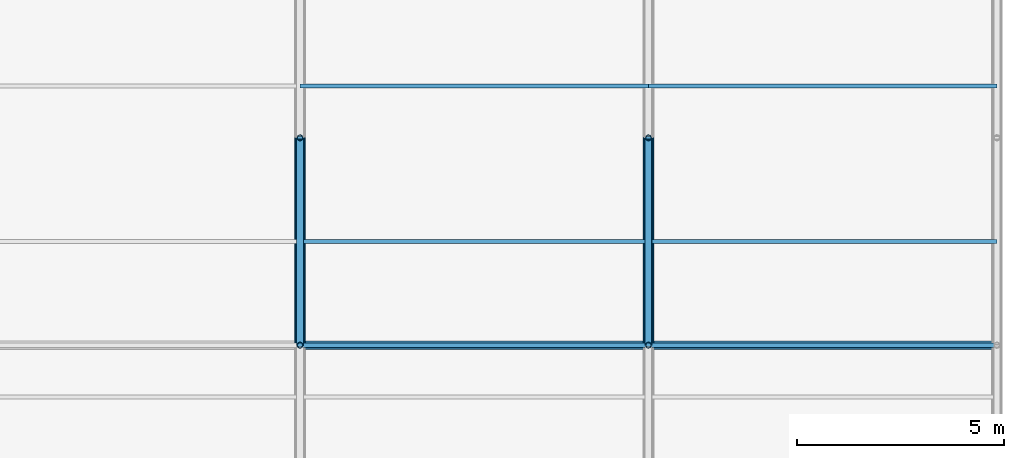
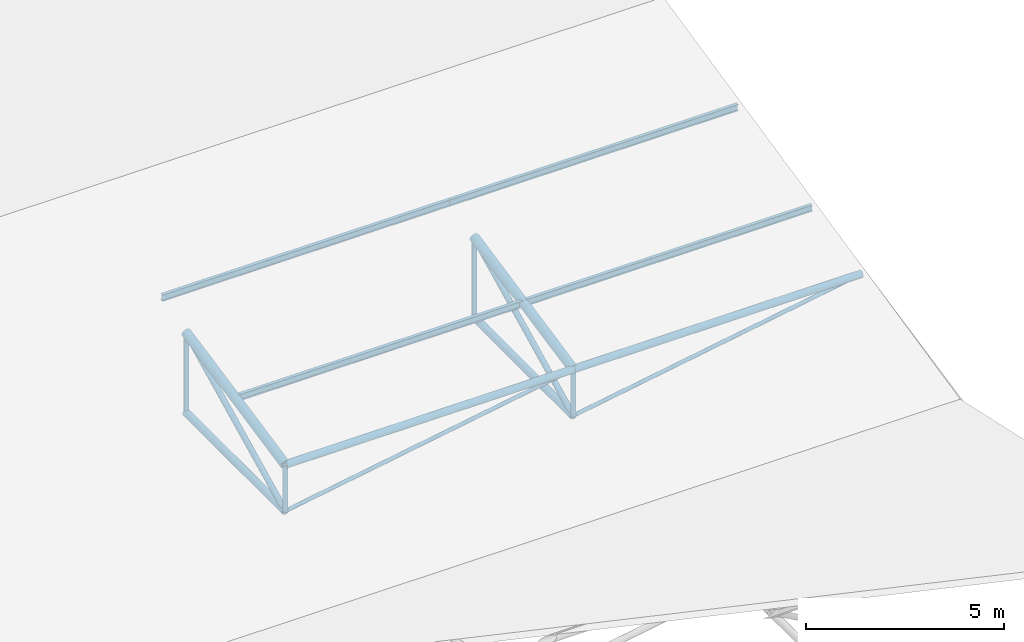
# One storey, part 104 of 194: 14 members, 4 beams.
"""IFC4 building model written with IfcOpenShell, lengths in metres."""

from ifc_helpers import new_model, si_unit, direction, frame, origin, origin_2d, place, context, subcontext, project, spatial, hollow_circle, i_section, extrude, material, material_profile, profile_set, type_object, element, save


model = new_model("IFC4")

# Units and contexts
model_context = context("Model", 3, precision=1e-05, world=origin(), true_north=direction((0.0, 1.0)))
body_context = subcontext(model_context, "Body", "Model", "MODEL_VIEW")
ifc_project = project(units=[si_unit("LENGTHUNIT", "METRE"), si_unit("AREAUNIT", "SQUARE_METRE"), si_unit("VOLUMEUNIT", "CUBIC_METRE"), si_unit("PLANEANGLEUNIT", "RADIAN"), si_unit("MASSUNIT", "GRAM", prefix="KILO")], contexts=[model_context])

# Site, building, storey
site_placement = place(None, origin())
site = spatial("IfcSite", under=ifc_project, at=site_placement, CompositionType="ELEMENT")
building_placement = place(site_placement, origin())
building = spatial("IfcBuilding", under=site, at=building_placement, Name="Kazenagashi Tramway Depot", CompositionType="ELEMENT")
storey_placement = place(building_placement, frame((0.0, 0.0, 23.7)))
storey = spatial("IfcBuildingStorey", under=building, at=storey_placement, Name="ROOF", CompositionType="ELEMENT", Elevation=23.7)

# Beams
ifc_material_1 = material(Name="Steel SN400B", Category="steel")
ifc_material_profile_1 = material_profile(ifc_material_1, i_section(OverallWidth=0.1, OverallDepth=0.2, WebThickness=0.0055, FlangeThickness=0.008, at=origin_2d()), Name="H-200x100x5.5x8")
ifc_profile_set_1 = profile_set([ifc_material_profile_1], Name="Steel SN400B")
beam_type = type_object("IfcBeamType", Name="PR-01", PredefinedType="USERDEFINED", material=ifc_profile_set_1)
for number, where, z_axis, x_axis, name in (
    (1, (179.2, 107.5, -12.13), (1.0, 0.0, 0.0), (0.0, 1.0, 0.0), "Beam PR-01 BM-2160"),
    (2, (187.6, 107.5, -12.13), (1.0, 0.0, 0.0), (0.0, 1.0, 0.0), "Beam PR-01 BM-2161"),
    (3, (179.2, 111.25, -11.305), (1.0, 0.0, 0.0), (0.0, 1.0, 0.0), "Beam PR-01 BM-2178"),
    (4, (187.6, 111.25, -11.305), (1.0, 0.0, 0.0), (0.0, 1.0, 0.0), "Beam PR-01 BM-2179"),
):
    element("IfcBeam", number, at=place(storey_placement, frame(where, z_axis=z_axis, x_axis=x_axis)), inside=storey, type_object=beam_type, Name=name, ObjectType="PURLIN", PredefinedType="USERDEFINED", context=body_context, shape_type="SweptSolid", body=[
        extrude(i_section(OverallWidth=0.1, OverallDepth=0.2, WebThickness=0.0055, FlangeThickness=0.008, at=origin_2d()), origin(), (0.0, 0.0, 1.0), 8.4),
    ])

# Members
ifc_material_2 = material(Name="Steel STK490", Category="steel")
ifc_material_profile_2 = material_profile(ifc_material_2, hollow_circle(Radius=0.1337, WallThickness=0.0093, at=origin_2d()), Name="CHS-267.4x9.3")
ifc_profile_set_2 = profile_set([ifc_material_profile_2], Name="Steel STK490")
member_type_1 = type_object("IfcMemberType", Name="TC-01", PredefinedType="CHORD", material=ifc_profile_set_2)
for number, where, z_axis, x_axis, name in (
    (5, (179.2, 105.0, -12.667), (0.0, 0.979279174591, 0.202514933305), (-1.0, 0.0, 0.0), "Tubular Space Frame TC-01 MEM-1011"),
    (6, (187.6, 105.0, -12.667), (0.0, 0.979279174591, 0.202514933305), (-1.0, 0.0, 0.0), "Tubular Space Frame TC-01 MEM-1072"),
):
    element("IfcMember", number, at=place(storey_placement, frame(where, z_axis=z_axis, x_axis=x_axis)), inside=storey, type_object=member_type_1, Name=name, PredefinedType="CHORD", context=body_context, shape_type="SweptSolid", body=[
        extrude(hollow_circle(Radius=0.1337, WallThickness=0.0093, at=origin_2d()), origin(), (0.0, 0.0, 1.0), 5.105796),
    ])
ifc_material_profile_3 = material_profile(ifc_material_2, hollow_circle(Radius=0.10815, WallThickness=0.0082, at=origin_2d()), Name="CHS-216.3x8.2")
ifc_profile_set_3 = profile_set([ifc_material_profile_3], Name="Steel STK490")
member_type_2 = type_object("IfcMemberType", Name="TC-02", PredefinedType="CHORD", material=ifc_profile_set_3)
member_1_placement = place(storey_placement, frame((179.2, 105.0, -14.1), z_axis=(0.0, 1.0, 0.0), x_axis=(-1.0, 0.0, 0.0)))
element("IfcMember", 7, at=member_1_placement, inside=storey, type_object=member_type_2, Name="Tubular Space Frame TC-02 MEM-1012", PredefinedType="CHORD", context=body_context, shape_type="SweptSolid", body=[
    extrude(hollow_circle(Radius=0.10815, WallThickness=0.0082, at=origin_2d()), origin(), (0.0, 0.0, 1.0), 5.0),
])
member_2_placement = place(storey_placement, frame((179.2, 105.0, -12.667), z_axis=(1.0, 0.0, 0.0), x_axis=(0.0, 1.0, 0.0)))
element("IfcMember", 8, at=member_2_placement, inside=storey, type_object=member_type_2, Name="Tubular Space Frame TC-02 MEM-1032", PredefinedType="CHORD", context=body_context, shape_type="SweptSolid", body=[
    extrude(hollow_circle(Radius=0.10815, WallThickness=0.0082, at=origin_2d()), origin(), (0.0, 0.0, 1.0), 8.4),
])
member_3_placement = place(storey_placement, frame((187.6, 105.0, -14.1), z_axis=(0.0, 1.0, 0.0), x_axis=(-1.0, 0.0, 0.0)))
element("IfcMember", 9, at=member_3_placement, inside=storey, type_object=member_type_2, Name="Tubular Space Frame TC-02 MEM-1073", PredefinedType="CHORD", context=body_context, shape_type="SweptSolid", body=[
    extrude(hollow_circle(Radius=0.10815, WallThickness=0.0082, at=origin_2d()), origin(), (0.0, 0.0, 1.0), 5.0),
])
member_4_placement = place(storey_placement, frame((187.6, 105.0, -12.667), z_axis=(1.0, 0.0, 0.0), x_axis=(0.0, 1.0, 0.0)))
element("IfcMember", 10, at=member_4_placement, inside=storey, type_object=member_type_2, Name="Tubular Space Frame TC-02 MEM-1093", PredefinedType="CHORD", context=body_context, shape_type="SweptSolid", body=[
    extrude(hollow_circle(Radius=0.10815, WallThickness=0.0082, at=origin_2d()), origin(), (0.0, 0.0, 1.0), 8.4),
])
ifc_material_profile_4 = material_profile(ifc_material_2, hollow_circle(Radius=0.0826, WallThickness=0.0071, at=origin_2d()), Name="CHS-165.2x7.1")
ifc_profile_set_4 = profile_set([ifc_material_profile_4], Name="Steel STK490")
member_type_3 = type_object("IfcMemberType", Name="TS-01", PredefinedType="STRUT", material=ifc_profile_set_4)
for number, where, z_axis, x_axis, name in (
    (11, (179.2, 105.0, -14.1), (0.0, 0.896782162482, 0.442472318969), (-1.0, 0.0, 0.0), "Tubular Space Frame TS-01 MEM-1013"),
    (12, (187.6, 105.0, -14.1), (0.0, 0.896782162482, 0.442472318969), (-1.0, 0.0, 0.0), "Tubular Space Frame TS-01 MEM-1074"),
):
    element("IfcMember", number, at=place(storey_placement, frame(where, z_axis=z_axis, x_axis=x_axis)), inside=storey, type_object=member_type_3, Name=name, PredefinedType="STRUT", context=body_context, shape_type="SweptSolid", body=[
        extrude(hollow_circle(Radius=0.0826, WallThickness=0.0071, at=origin_2d()), origin(), (0.0, 0.0, 1.0), 5.57549),
    ])
ifc_material_profile_5 = material_profile(ifc_material_2, hollow_circle(Radius=0.0699, WallThickness=0.0066, at=origin_2d()), Name="CHS-139.8x6.6")
ifc_profile_set_5 = profile_set([ifc_material_profile_5], Name="Steel STK490")
member_type_4 = type_object("IfcMemberType", Name="TS-02", PredefinedType="STRUT", material=ifc_profile_set_5)
member_5_placement = place(storey_placement, frame((179.2, 105.0, -14.1), z_axis=(0.0, 0.0, 1.0), x_axis=(1.0, 0.0, 0.0)))
element("IfcMember", 13, at=member_5_placement, inside=storey, type_object=member_type_4, Name="Tubular Space Frame TS-02 MEM-1026", PredefinedType="STRUT", context=body_context, shape_type="SweptSolid", body=[
    extrude(hollow_circle(Radius=0.0699, WallThickness=0.0066, at=origin_2d()), origin(), (0.0, 0.0, 1.0), 1.433),
])
member_6_placement = place(storey_placement, frame((179.2, 110.0, -14.1), z_axis=(0.0, 0.0, 1.0), x_axis=(1.0, 0.0, 0.0)))
element("IfcMember", 14, at=member_6_placement, inside=storey, type_object=member_type_4, Name="Tubular Space Frame TS-02 MEM-1027", PredefinedType="STRUT", context=body_context, shape_type="SweptSolid", body=[
    extrude(hollow_circle(Radius=0.0699, WallThickness=0.0066, at=origin_2d()), origin(), (0.0, 0.0, 1.0), 2.467),
])
member_7_placement = place(storey_placement, frame((187.6, 105.0, -14.1), z_axis=(0.0, 0.0, 1.0), x_axis=(1.0, 0.0, 0.0)))
element("IfcMember", 15, at=member_7_placement, inside=storey, type_object=member_type_4, Name="Tubular Space Frame TS-02 MEM-1087", PredefinedType="STRUT", context=body_context, shape_type="SweptSolid", body=[
    extrude(hollow_circle(Radius=0.0699, WallThickness=0.0066, at=origin_2d()), origin(), (0.0, 0.0, 1.0), 1.433),
])
member_8_placement = place(storey_placement, frame((187.6, 110.0, -14.1), z_axis=(0.0, 0.0, 1.0), x_axis=(1.0, 0.0, 0.0)))
element("IfcMember", 16, at=member_8_placement, inside=storey, type_object=member_type_4, Name="Tubular Space Frame TS-02 MEM-1088", PredefinedType="STRUT", context=body_context, shape_type="SweptSolid", body=[
    extrude(hollow_circle(Radius=0.0699, WallThickness=0.0066, at=origin_2d()), origin(), (0.0, 0.0, 1.0), 2.467),
])
ifc_material_3 = material(Name="Steel STK400", Category="steel")
ifc_material_profile_6 = material_profile(ifc_material_3, hollow_circle(Radius=0.05715, WallThickness=0.0045, at=origin_2d()), Name="CHS-114.3x4.5")
ifc_profile_set_6 = profile_set([ifc_material_profile_6], Name="Steel STK400")
member_type_5 = type_object("IfcMemberType", Name="TS-03", PredefinedType="STRUT", material=ifc_profile_set_6)
for number, where, z_axis, x_axis, name in (
    (17, (179.2, 105.0, -14.1), (0.985758734117, 0.0, 0.168165745951), (0.0, 1.0, 0.0), "Tubular Space Frame TS-03 MEM-1033"),
    (18, (187.6, 105.0, -14.1), (0.985758734117, 0.0, 0.168165745951), (0.0, 1.0, 0.0), "Tubular Space Frame TS-03 MEM-1094"),
):
    element("IfcMember", number, at=place(storey_placement, frame(where, z_axis=z_axis, x_axis=x_axis)), inside=storey, type_object=member_type_5, Name=name, PredefinedType="STRUT", context=body_context, shape_type="SweptSolid", body=[
        extrude(hollow_circle(Radius=0.05715, WallThickness=0.0045, at=origin_2d()), origin(), (0.0, 0.0, 1.0), 8.521355),
    ])

save(model, "model.ifc")
